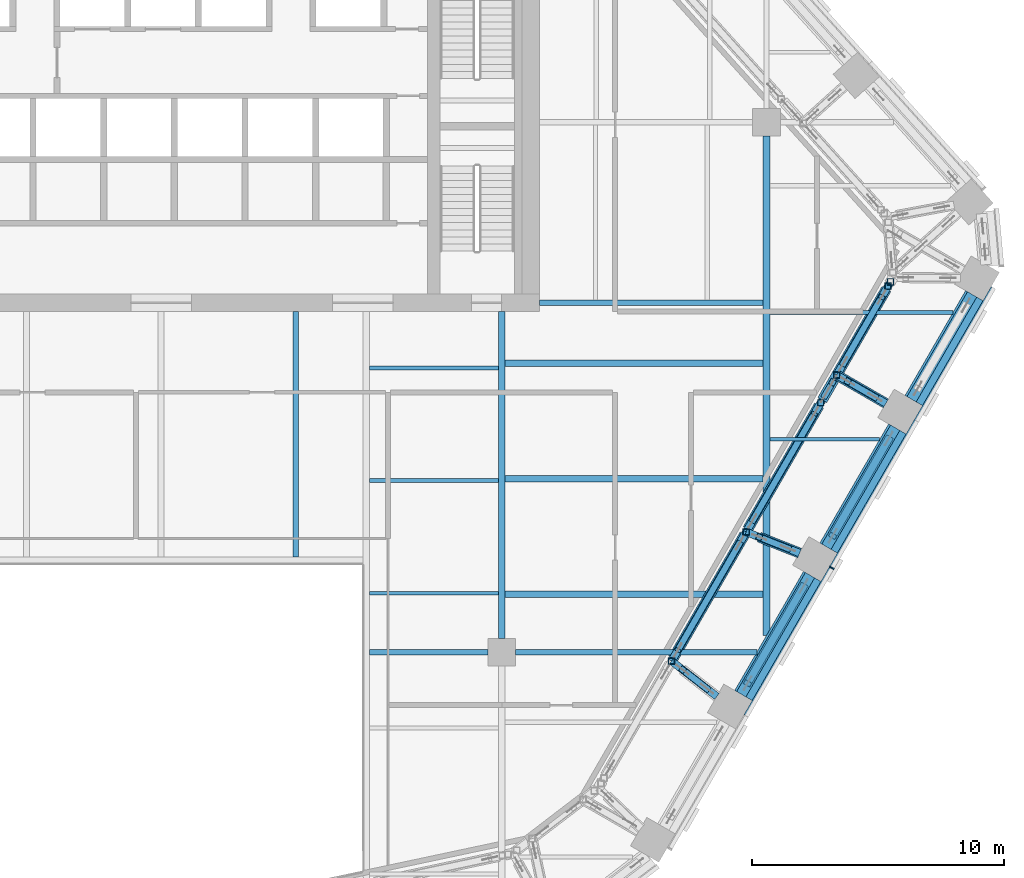
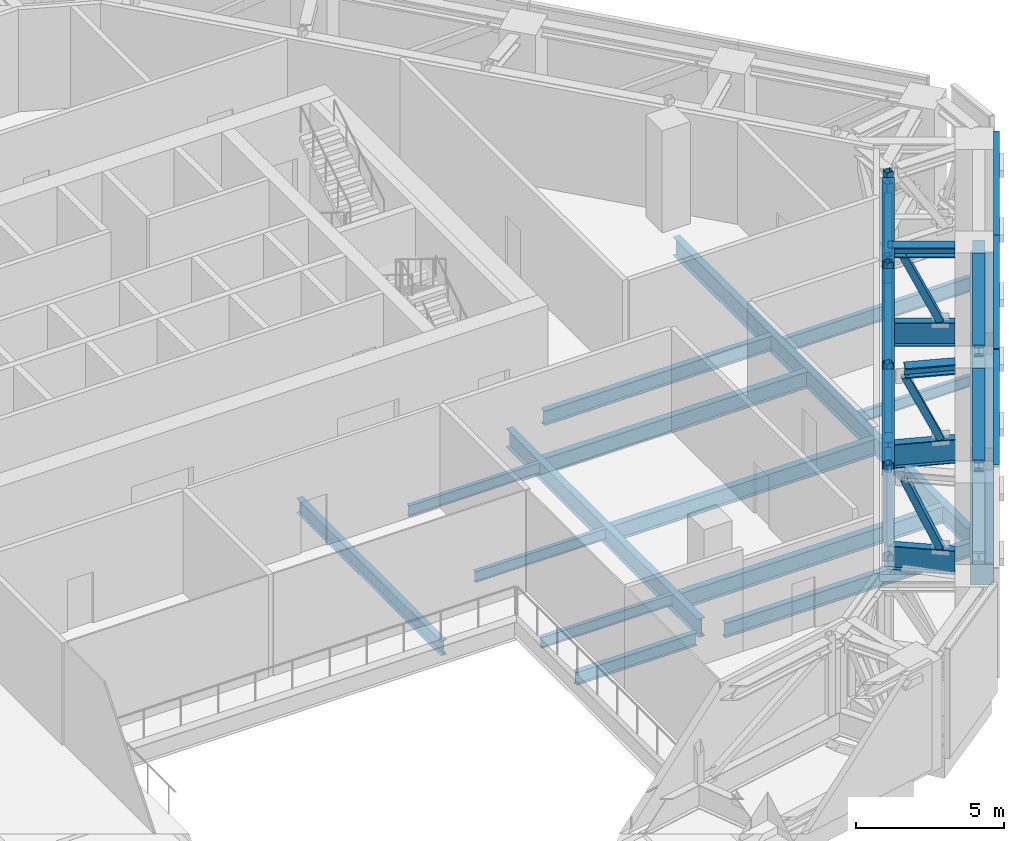
# One storey, part 7 of 26: 35 members, 17 beams, 1 element without a shape of its own.
"""IFC4 building model written with IfcOpenShell, lengths in metres."""

import ifcopenshell
import ifcopenshell.guid

model = None  # the IFC model being written
_history = None  # IfcOwnerHistory: only IFC2X3 demands one
_inside = {}  # id of a spatial element -> (the spatial element, [elements in it])
_under = {}  # id of a project, library or spatial element -> (it, [spatial elements below it])
_declared = {}  # id of a project -> (the project, [libraries it declares])
_typed = {}  # id of a type object -> (the type object, [elements of that type])
_made_of = {}  # id of a material, layer set ... -> (it, [elements and type objects made of it])


def new_model(schema):
    """Start an empty IFC model of exactly this schema.

    Asked for "IFC4X3", IfcOpenShell would pick the latest addendum, in which some entities
    have other attributes; the version numbers below select the first issue.
    IFC2X3 requires an IfcOwnerHistory on every rooted entity: one is made here for all.
    """
    global model, _history
    if schema == "IFC4X3":
        model = ifcopenshell.file(schema_version=(4, 3, 0, 0))
    else:
        model = ifcopenshell.file(schema=schema)
    _inside.clear()
    _under.clear()
    _declared.clear()
    _typed.clear()
    _made_of.clear()
    _history = None
    if model.schema == "IFC2X3":
        org = make("IfcOrganization", Name="unknown")
        user = make(
            "IfcPersonAndOrganization",
            ThePerson=make("IfcPerson", FamilyName="unknown"),
            TheOrganization=org,
        )
        app = make(
            "IfcApplication",
            ApplicationDeveloper=org,
            Version="unknown",
            ApplicationFullName="unknown",
            ApplicationIdentifier="unknown",
        )
        _history = make(
            "IfcOwnerHistory",
            OwningUser=user,
            OwningApplication=app,
            ChangeAction="ADDED",
            CreationDate=0,
        )
    return model


def make(cls, **values):
    """One entity of the class cls with the attributes given. An attribute that is None is left unset."""
    return model.create_entity(
        cls, **{name: value for name, value in values.items() if value is not None}
    )


def rooted(cls, **values):
    """An entity with a GlobalId (a new one), such as an element, a storey or a relation."""
    return make(cls, GlobalId=ifcopenshell.guid.new(), OwnerHistory=_history, **values)


def si_unit(unit_type, name, prefix=None):
    """IfcSIUnit, for example si_unit("LENGTHUNIT", "METRE", prefix="MILLI")."""
    return make("IfcSIUnit", UnitType=unit_type, Prefix=prefix, Name=name)


def assignment(units):
    """IfcUnitAssignment: the units of a project."""
    return None if units is None else make("IfcUnitAssignment", Units=units)


def point(xyz):
    """IfcCartesianPoint."""
    return None if xyz is None else make("IfcCartesianPoint", Coordinates=xyz)


def direction(xyz):
    """IfcDirection."""
    return None if xyz is None else make("IfcDirection", DirectionRatios=xyz)


def frame(location, z_axis=None, x_axis=None):
    """IfcAxis2Placement3D, a coordinate frame: its origin and axes. An axis left out is left unset."""
    return make(
        "IfcAxis2Placement3D",
        Location=point(location),
        Axis=direction(z_axis),
        RefDirection=direction(x_axis),
    )


def frame_2d(location, x_axis=None):
    """IfcAxis2Placement2D, a coordinate frame in the plane: its origin and x axis."""
    return make(
        "IfcAxis2Placement2D", Location=point(location), RefDirection=direction(x_axis)
    )


def origin():
    """The frame at (0, 0, 0) with its axes left unset."""
    return frame((0.0, 0.0, 0.0))


def origin_2d():
    """The frame at (0, 0) in the plane with its x axis left unset."""
    return frame_2d((0.0, 0.0))


def place(relative_to, where):
    """IfcLocalPlacement: puts the frame where relative to a parent placement (None: the world)."""
    return make(
        "IfcLocalPlacement", PlacementRelTo=relative_to, RelativePlacement=where
    )


def context(
    kind, dimensions, precision=None, world=None, true_north=None, identifier=None
):
    """IfcGeometricRepresentationContext, for example the 3D "Model" context."""
    return make(
        "IfcGeometricRepresentationContext",
        ContextIdentifier=identifier,
        ContextType=kind,
        CoordinateSpaceDimension=dimensions,
        Precision=precision,
        WorldCoordinateSystem=world,
        TrueNorth=true_north,
    )


def subcontext(parent, identifier, kind, view, scale=None):
    """IfcGeometricRepresentationSubContext, for example "Body" below "Model"."""
    return make(
        "IfcGeometricRepresentationSubContext",
        ContextIdentifier=identifier,
        ContextType=kind,
        ParentContext=parent,
        TargetScale=scale,
        TargetView=view,
    )


def project(units=None, contexts=None):
    """IfcProject with its units and contexts."""
    return rooted(
        "IfcProject",
        Name="project",
        RepresentationContexts=contexts,
        UnitsInContext=assignment(units),
    )


def spatial(cls, under=None, at=None, **own):
    """A site, building, storey or space (cls), placed at a placement, below another one or the project."""
    s = rooted(cls, ObjectPlacement=at, **own)
    if under is not None:
        _under.setdefault(under.id(), (under, []))[1].append(s)
    return s


def profile(cls, at=None, kind="AREA", **sizes):
    """A parametric profile (cls). Its sizes go by their IFC names, for example OverallWidth=200.0."""
    return make(cls, ProfileType=kind, Position=at, **sizes)


def rectangle(**sizes):
    """IfcRectangleProfileDef."""
    return profile("IfcRectangleProfileDef", **sizes)


def hollow_rectangle(**sizes):
    """IfcRectangleHollowProfileDef."""
    return profile("IfcRectangleHollowProfileDef", **sizes)


def i_section(**sizes):
    """IfcIShapeProfileDef."""
    return profile("IfcIShapeProfileDef", **sizes)


def extrude(swept, where, along, depth):
    """IfcExtrudedAreaSolid: the profile swept, set in the frame where, extruded along a direction by depth."""
    return make(
        "IfcExtrudedAreaSolid",
        SweptArea=swept,
        Position=where,
        ExtrudedDirection=direction(along),
        Depth=depth,
    )


def shape(context_of_items, identifier, shape_type, items):
    """IfcShapeRepresentation: the items that make up one representation, for example the "Body"."""
    return make(
        "IfcShapeRepresentation",
        ContextOfItems=context_of_items,
        RepresentationIdentifier=identifier,
        RepresentationType=shape_type,
        Items=items,
    )


def material(Name=None, Category=None):
    """IfcMaterial."""
    return make("IfcMaterial", Name=Name, Category=Category)


def layer(
    of_material, thickness, ventilated=None, Name=None, Category=None, Priority=None
):
    """IfcMaterialLayer: one layer of a wall or slab, of a material (None: an air gap)."""
    return make(
        "IfcMaterialLayer",
        Material=of_material,
        LayerThickness=thickness,
        IsVentilated=ventilated,
        Name=Name,
        Category=Category,
        Priority=Priority,
    )


def layer_set(layers, Name=None):
    """IfcMaterialLayerSet."""
    return make("IfcMaterialLayerSet", MaterialLayers=layers, LayerSetName=Name)


def material_profile(
    of_material, cross_section, Name=None, Category=None, Priority=None
):
    """IfcMaterialProfile: a cross section and its material."""
    return make(
        "IfcMaterialProfile",
        Name=Name,
        Material=of_material,
        Profile=cross_section,
        Priority=Priority,
        Category=Category,
    )


def profile_set(profiles, Name=None, composite=None):
    """IfcMaterialProfileSet."""
    return make(
        "IfcMaterialProfileSet",
        Name=Name,
        MaterialProfiles=profiles,
        CompositeProfile=composite,
    )


def made_of(thing, what):
    """Note that an element or type object is made of a material, layer set ...; save() writes the relation."""
    if what is not None:
        _made_of.setdefault(what.id(), (what, []))[1].append(thing)
    return thing


def type_object(cls, material=None, **own):
    """A type object (cls), such as IfcWallType, which elements share."""
    return made_of(rooted(cls, **own), material)


def element(
    cls,
    number,
    at=None,
    inside=None,
    cuts=None,
    type_object=None,
    material=None,
    context=None,
    identifier="Body",
    shape_type=None,
    held_by="IfcProductDefinitionShape",
    body=None,
    shapes=None,
    **own,
):
    """One element of the class cls, such as IfcWall. Its Tag is "e" and its number.

    at: its placement. inside: the storey or other place that contains it. cuts: it is an
    opening in that element (IfcRelVoidsElement). A single representation is given by context,
    identifier, shape_type and body (its items); several are given by shapes. held_by: the class
    of the entity that holds the representations. save() writes the other relations.
    """
    e = rooted(cls, Tag="e%d" % number, ObjectPlacement=at, **own)
    if body is not None:
        shapes = [shape(context, identifier, shape_type, body)]
    if shapes is not None:
        e.Representation = make(held_by, Representations=shapes)
    if inside is not None:
        _inside.setdefault(inside.id(), (inside, []))[1].append(e)
    if cuts is not None:
        rooted(
            "IfcRelVoidsElement", RelatingBuildingElement=cuts, RelatedOpeningElement=e
        )
    if type_object is not None:
        _typed.setdefault(type_object.id(), (type_object, []))[1].append(e)
    return made_of(e, material)


def aggregate(whole, parts):
    """IfcRelAggregates: a whole, such as a stair, and the parts it consists of."""
    return rooted("IfcRelAggregates", RelatingObject=whole, RelatedObjects=parts)


def save(model, path):
    """Write the relations noted so far, then the file.

    IfcRelAggregates (storeys below a building ...), IfcRelContainedInSpatialStructure (elements
    in a storey), IfcRelDefinesByType, IfcRelAssociatesMaterial and IfcRelDeclares: one each for
    every whole, place, type object, material and project.
    """
    for whole, parts in _under.values():
        aggregate(whole, parts)
    for where, things in _inside.values():
        rooted(
            "IfcRelContainedInSpatialStructure",
            RelatedElements=things,
            RelatingStructure=where,
        )
    for kind, things in _typed.values():
        rooted("IfcRelDefinesByType", RelatedObjects=things, RelatingType=kind)
    for what, things in _made_of.values():
        rooted("IfcRelAssociatesMaterial", RelatedObjects=things, RelatingMaterial=what)
    for by, libraries in _declared.values():
        rooted("IfcRelDeclares", RelatingContext=by, RelatedDefinitions=libraries)
    model.write(path)


model = new_model("IFC4")

# Units and contexts
model_context = context("Model", 3, precision=1e-05, world=origin(), true_north=direction((0.0, 1.0)))
body_context = subcontext(model_context, "Body", "Model", "MODEL_VIEW")
ifc_project = project(units=[si_unit("LENGTHUNIT", "METRE"), si_unit("AREAUNIT", "SQUARE_METRE"), si_unit("VOLUMEUNIT", "CUBIC_METRE"), si_unit("PLANEANGLEUNIT", "RADIAN"), si_unit("MASSUNIT", "GRAM", prefix="KILO")], contexts=[model_context])

# Site, building, storey
site_placement = place(None, origin())
site = spatial("IfcSite", under=ifc_project, at=site_placement, CompositionType="ELEMENT")
building_placement = place(site_placement, origin())
building = spatial("IfcBuilding", under=site, at=building_placement, Name="Isthmus Gate Tower", CompositionType="ELEMENT")
storey_placement = place(building_placement, frame((0.0, 0.0, 207.300048828125)))
storey = spatial("IfcBuildingStorey", under=building, at=storey_placement, Name="L52", CompositionType="ELEMENT", Elevation=207.300048828125)

# Members
ifc_material_1 = material(Name="Structural steel ASTM A913 Gr 65", Category="steel")
ifc_material_profile_1 = material_profile(ifc_material_1, i_section(OverallWidth=0.42236328125, OverallDepth=0.46337890625, WebThickness=0.04443359375, FlangeThickness=0.072998046875, at=origin_2d()), Name="W14X398")
ifc_profile_set_1 = profile_set([ifc_material_profile_1], Name="Structural steel ASTM A913 Gr 65")
member_type_1 = type_object("IfcMemberType", Name="BELT TRUSS CHORD W14X398", PredefinedType="CHORD", material=ifc_profile_set_1)
member_1_placement = place(storey_placement, frame((32.146728515625, 0.6796875, 0.231689453125), z_axis=(-0.500017431331, -0.866015339567, 0.0), x_axis=(0.866015339567, -0.500017431331, 0.0)))
element("IfcMember", 1, at=member_1_placement, inside=storey, type_object=member_type_1, Name="str-belt06-L52-01", PredefinedType="CHORD", context=body_context, shape_type="SweptSolid", body=[
    extrude(i_section(OverallWidth=0.42236328125, OverallDepth=0.46337890625, WebThickness=0.04443359375, FlangeThickness=0.072998046875, at=origin_2d()), origin(), (0.0, 0.0, 1.0), 4.800048828125),
])
for number, where, z_axis, x_axis, name in (
    (2, (29.0966796875, -4.603271484375, 0.231689453125), (-0.500002931134, -0.866023711487, 0.0), (0.866023711487, -0.500002931134, 0.0), "str-belt07-L52-01"),
    (3, (29.0966796875, -4.603271484375, 3.96826171875), (-0.500002931134, -0.866023711487, 0.0), (0.866023711487, -0.500002931134, 0.0), "str-belt07-L52-02"),
):
    element("IfcMember", number, at=place(storey_placement, frame(where, z_axis=z_axis, x_axis=x_axis)), inside=storey, type_object=member_type_1, Name=name, PredefinedType="CHORD", context=body_context, shape_type="SweptSolid", body=[
        extrude(i_section(OverallWidth=0.42236328125, OverallDepth=0.46337890625, WebThickness=0.04443359375, FlangeThickness=0.072998046875, at=origin_2d()), origin(), (0.0, 0.0, 1.0), 5.4501953125),
    ])
for number, where, z_axis, x_axis, name in (
    (4, (25.721435546875, -10.448974609375, 0.231689453125), (-0.49996933381, -0.866043108194, 0.0), (0.866043108194, -0.49996933381, 0.0), "str-belt08-L52-01"),
    (5, (25.721435546875, -10.448974609375, 3.96826171875), (-0.49996933381, -0.866043108194, 0.0), (0.866043108194, -0.49996933381, 0.0), "str-belt08-L52-02"),
):
    element("IfcMember", number, at=place(storey_placement, frame(where, z_axis=z_axis, x_axis=x_axis)), inside=storey, type_object=member_type_1, Name=name, PredefinedType="CHORD", context=body_context, shape_type="SweptSolid", body=[
        extrude(i_section(OverallWidth=0.42236328125, OverallDepth=0.46337890625, WebThickness=0.04443359375, FlangeThickness=0.072998046875, at=origin_2d()), origin(), (0.0, 0.0, 1.0), 5.449951171875),
    ])

# Curtain wall, members
ifc_material_2 = material(Name="Aluminium, pale champagne anodised", Category="aluminium")
ifc_layer = layer(ifc_material_2, 0.199951171875)
ifc_layer_set = layer_set([ifc_layer], Name="CW-2 LOUVRE CURTAIN WALL 200 DEEP")
curtain_wall_type = type_object("IfcCurtainWallType", Name="CW-2 LOUVRE CURTAIN WALL 200 DEEP", PredefinedType="NOTDEFINED", material=ifc_layer_set)
curtain_wall_placement = place(storey_placement, origin())
curtain_wall = element("IfcCurtainWall", 6, at=curtain_wall_placement, inside=storey, type_object=curtain_wall_type, Name="CW-2 SE L52", PredefinedType="NOTDEFINED")
ifc_material_3 = material(Name="Aluminium, pale champagne anodised", Category="aluminium")
ifc_material_profile_2 = material_profile(ifc_material_3, rectangle(XDim=0.06005859375, YDim=0.199951171875, at=origin_2d()), Name="60x200")
ifc_profile_set_2 = profile_set([ifc_material_profile_2], Name="Aluminium, pale champagne anodised")
member_type_2 = type_object("IfcMemberType", Name="CW-2 MULLION 60 X 200", PredefinedType="MULLION", material=ifc_profile_set_2)
member_2_placement = place(storey_placement, frame((26.5810546875, -10.16015625, 0.0), z_axis=(0.0, 0.0, 1.0), x_axis=(0.5, 0.866025403784, 0.0)))
member_2 = element("IfcMember", 7, at=member_2_placement, type_object=member_type_2, Name="CW-2 mullion", PredefinedType="MULLION", context=body_context, shape_type="SweptSolid", body=[
    extrude(rectangle(XDim=0.06005859375, YDim=0.199951171875, at=origin_2d()), origin(), (0.0, 0.0, 1.0), 4.5),
])
ifc_material_4 = material(Name="Aluminium, pale champagne anodised", Category="aluminium")
ifc_material_profile_3 = material_profile(ifc_material_4, rectangle(XDim=0.199951171875, YDim=0.110107421875, at=origin_2d()), Name="200x110")
ifc_profile_set_3 = profile_set([ifc_material_profile_3], Name="Aluminium, pale champagne anodised")
member_type_3 = type_object("IfcMemberType", Name="CW-2 TRANSOM 200 X 110", PredefinedType="USERDEFINED", material=ifc_profile_set_3)
member_3_placement = place(storey_placement, frame((23.191162109375, -16.03173828125, 4.445068359375), z_axis=(0.499997969693, 0.866026575979, 0.0), x_axis=(-0.866026575979, 0.499997969693, 0.0)))
member_3 = element("IfcMember", 8, at=member_3_placement, type_object=member_type_3, Name="CW-2 transom", ObjectType="TRANSOM", PredefinedType="USERDEFINED", context=body_context, shape_type="SweptSolid", body=[
    extrude(rectangle(XDim=0.199951171875, YDim=0.110107421875, at=origin_2d()), origin(), (0.0, 0.0, 1.0), 6.75),
])
member_4_placement = place(storey_placement, frame((26.59619140625, -10.134033203125, 4.445068359375), z_axis=(0.499997283838, 0.866026971956, 0.0), x_axis=(-0.866026971956, 0.499997283838, 0.0)))
member_4 = element("IfcMember", 9, at=member_4_placement, type_object=member_type_3, Name="CW-2 transom", ObjectType="TRANSOM", PredefinedType="USERDEFINED", context=body_context, shape_type="SweptSolid", body=[
    extrude(rectangle(XDim=0.199951171875, YDim=0.110107421875, at=origin_2d()), origin(), (0.0, 0.0, 1.0), 6.68994140625),
])
member_5_placement = place(storey_placement, frame((29.941162109375, -4.34033203125, 4.445068359375), z_axis=(0.499991521122, 0.866030299012, 0.0), x_axis=(-0.866030299012, 0.499991521122, 0.0)))
member_5 = element("IfcMember", 10, at=member_5_placement, type_object=member_type_3, Name="CW-2 transom", ObjectType="TRANSOM", PredefinedType="USERDEFINED", context=body_context, shape_type="SweptSolid", body=[
    extrude(rectangle(XDim=0.199951171875, YDim=0.110107421875, at=origin_2d()), origin(), (0.0, 0.0, 1.0), 6.10009765625),
])
aggregate(curtain_wall, [member_3, member_2, member_4, member_5])

# Beams
ifc_material_5 = material(Name="Concrete f'c 60 MPa", Category="concrete")
ifc_material_profile_4 = material_profile(ifc_material_5, rectangle(XDim=0.800048828125, YDim=0.89990234375, at=origin_2d()), Name="RC 800X900")
ifc_profile_set_4 = profile_set([ifc_material_profile_4], Name="Concrete f'c 60 MPa")
beam_type_1 = type_object("IfcBeamType", Name="RC SPANDREL 800 X 900", PredefinedType="SPANDREL", material=ifc_profile_set_4)
beam_1_placement = place(storey_placement, frame((32.2333984375, 0.629638671875, -0.449951171875), z_axis=(-0.500017431331, -0.866015339567, 0.0), x_axis=(0.866015339567, -0.500017431331, 0.0)))
element("IfcBeam", 11, at=beam_1_placement, inside=storey, type_object=beam_type_1, Name="str-spandrel-L52-06", PredefinedType="SPANDREL", context=body_context, shape_type="SweptSolid", body=[
    extrude(rectangle(XDim=0.800048828125, YDim=0.89990234375, at=origin_2d()), origin(), (0.0, 0.0, 1.0), 4.800048828125),
])
beam_2_placement = place(storey_placement, frame((29.18310546875, -4.653076171875, -0.449951171875), z_axis=(-0.49996933381, -0.866043108194, 0.0), x_axis=(0.866043108194, -0.49996933381, 0.0)))
element("IfcBeam", 12, at=beam_2_placement, inside=storey, type_object=beam_type_1, Name="str-spandrel-L52-07", PredefinedType="SPANDREL", context=body_context, shape_type="SweptSolid", body=[
    extrude(rectangle(XDim=0.800048828125, YDim=0.89990234375, at=origin_2d()), origin(), (0.0, 0.0, 1.0), 5.449951171875),
])
beam_3_placement = place(storey_placement, frame((25.80810546875, -10.4990234375, -0.449951171875), z_axis=(-0.500002931134, -0.866023711487, 0.0), x_axis=(0.866023711487, -0.500002931134, 0.0)))
element("IfcBeam", 13, at=beam_3_placement, inside=storey, type_object=beam_type_1, Name="str-spandrel-L52-08", PredefinedType="SPANDREL", context=body_context, shape_type="SweptSolid", body=[
    extrude(rectangle(XDim=0.800048828125, YDim=0.89990234375, at=origin_2d()), origin(), (0.0, 0.0, 1.0), 5.4501953125),
])
ifc_material_6 = material(Name="Structural steel ASTM A992 Gr 50", Category="steel")
ifc_material_profile_5 = material_profile(ifc_material_6, i_section(OverallWidth=0.15234375, OverallDepth=0.45068359375, WebThickness=0.0078125, FlangeThickness=0.010986328125, at=origin_2d()), Name="W18X35")
ifc_profile_set_5 = profile_set([ifc_material_profile_5], Name="Structural steel ASTM A992 Gr 50")
beam_type_2 = type_object("IfcBeamType", Name="STEEL FLOOR BEAM W18X35", PredefinedType="JOIST", material=ifc_profile_set_5)
for number, where, z_axis, x_axis, name in (
    (14, (8.263427734375, -11.16259765625, -0.525390625), (1.0, 0.0, 0.0), (0.0, 1.0, 0.0), "str-beam-L52-10-00"),
    (15, (8.263427734375, -6.697509765625, -0.525390625), (1.0, 0.0, 0.0), (0.0, 1.0, 0.0), "str-beam-L52-10-01"),
    (16, (8.263427734375, -2.232421875, -0.525390625), (1.0, 0.0, 0.0), (0.0, 1.0, 0.0), "str-beam-L52-10-02"),
):
    element("IfcBeam", number, at=place(storey_placement, frame(where, z_axis=z_axis, x_axis=x_axis)), inside=storey, type_object=beam_type_2, Name=name, PredefinedType="JOIST", context=body_context, shape_type="SweptSolid", body=[
        extrude(i_section(OverallWidth=0.15234375, OverallDepth=0.45068359375, WebThickness=0.0078125, FlangeThickness=0.010986328125, at=origin_2d()), origin(), (0.0, 0.0, 1.0), 5.104736328125),
    ])
beam_4_placement = place(storey_placement, frame((24.13330078125, -5.0625, -0.525390625), z_axis=(1.0, 0.0, 0.0), x_axis=(0.0, 1.0, 0.0)))
element("IfcBeam", 17, at=beam_4_placement, inside=storey, type_object=beam_type_2, Name="str-beam-L52-16-00", PredefinedType="JOIST", context=body_context, shape_type="SweptSolid", body=[
    extrude(i_section(OverallWidth=0.15234375, OverallDepth=0.45068359375, WebThickness=0.0078125, FlangeThickness=0.010986328125, at=origin_2d()), origin(), (0.0, 0.0, 1.0), 4.351806640625),
])
ifc_material_7 = material(Name="Structural steel ASTM A992 Gr 50", Category="steel")
ifc_material_profile_6 = material_profile(ifc_material_7, i_section(OverallWidth=0.177734375, OverallDepth=0.60009765625, WebThickness=0.009521484375, FlangeThickness=0.0126953125, at=origin_2d()), Name="W24X55")
ifc_profile_set_6 = profile_set([ifc_material_profile_6], Name="Structural steel ASTM A992 Gr 50")
beam_type_3 = type_object("IfcBeamType", Name="STEEL FLOOR BEAM W24X55", PredefinedType="JOIST", material=ifc_profile_set_6)
beam_5_placement = place(storey_placement, frame((24.13330078125, -0.037353515625, -0.60009765625), z_axis=(1.0, 0.0, 0.0), x_axis=(0.0, 1.0, 0.0)))
element("IfcBeam", 18, at=beam_5_placement, inside=storey, type_object=beam_type_3, Name="str-beam-L52-16-01", PredefinedType="JOIST", context=body_context, shape_type="SweptSolid", body=[
    extrude(i_section(OverallWidth=0.177734375, OverallDepth=0.60009765625, WebThickness=0.009521484375, FlangeThickness=0.0126953125, at=origin_2d()), origin(), (0.0, 0.0, 1.0), 7.2529296875),
])
ifc_material_8 = material(Name="Structural steel ASTM A992 Gr 50", Category="steel")
ifc_material_profile_7 = material_profile(ifc_material_8, i_section(OverallWidth=0.228515625, OverallDepth=0.603271484375, WebThickness=0.010986328125, FlangeThickness=0.014404296875, at=origin_2d()), Name="W24X68")
ifc_profile_set_7 = profile_set([ifc_material_profile_7], Name="Structural steel ASTM A992 Gr 50")
beam_type_4 = type_object("IfcBeamType", Name="STEEL FLOOR BEAM W24X68", PredefinedType="JOIST", material=ifc_profile_set_7)
beam_6_placement = place(storey_placement, frame((5.333251953125, -9.7333984375, -0.6015625), z_axis=(0.0, 1.0, 0.0), x_axis=(-1.0, 0.0, 0.0)))
element("IfcBeam", 19, at=beam_6_placement, inside=storey, type_object=beam_type_4, Name="str-beam-L52-06-02", PredefinedType="JOIST", context=body_context, shape_type="SweptSolid", body=[
    extrude(i_section(OverallWidth=0.228515625, OverallDepth=0.603271484375, WebThickness=0.010986328125, FlangeThickness=0.014404296875, at=origin_2d()), origin(), (0.0, 0.0, 1.0), 9.7333984375),
])
ifc_material_9 = material(Name="Structural steel ASTM A992 Gr 50", Category="steel")
ifc_material_profile_8 = material_profile(ifc_material_9, i_section(OverallWidth=0.25390625, OverallDepth=0.679443359375, WebThickness=0.010986328125, FlangeThickness=0.015869140625, at=origin_2d()), Name="W27X84")
ifc_profile_set_8 = profile_set([ifc_material_profile_8], Name="Structural steel ASTM A992 Gr 50")
beam_type_5 = type_object("IfcBeamType", Name="STEEL FLOOR BEAM W27X84", PredefinedType="JOIST", material=ifc_profile_set_8)
for number, where, z_axis, x_axis, name in (
    (20, (13.6318359375, -11.210693359375, -0.6396484375), (1.0, 0.0, 0.0), (0.0, 1.0, 0.0), "str-beam-L52-12-00"),
    (21, (13.6318359375, -6.632080078125, -0.6396484375), (1.0, 0.0, 0.0), (0.0, 1.0, 0.0), "str-beam-L52-12-01"),
    (22, (13.6318359375, -2.053466796875, -0.6396484375), (1.0, 0.0, 0.0), (0.0, 1.0, 0.0), "str-beam-L52-12-02"),
):
    element("IfcBeam", number, at=place(storey_placement, frame(where, z_axis=z_axis, x_axis=x_axis)), inside=storey, type_object=beam_type_5, Name=name, PredefinedType="JOIST", context=body_context, shape_type="SweptSolid", body=[
        extrude(i_section(OverallWidth=0.25390625, OverallDepth=0.679443359375, WebThickness=0.010986328125, FlangeThickness=0.015869140625, at=origin_2d()), origin(), (0.0, 0.0, 1.0), 10.23486328125),
    ])
ifc_material_10 = material(Name="Structural steel ASTM A992 Gr 50", Category="steel")
ifc_material_profile_9 = material_profile(ifc_material_10, i_section(OverallWidth=0.20947265625, OverallDepth=0.533447265625, WebThickness=0.009521484375, FlangeThickness=0.015869140625, at=origin_2d()), Name="W21X62")
ifc_profile_set_9 = profile_set([ifc_material_profile_9], Name="Structural steel ASTM A992 Gr 50")
beam_type_6 = type_object("IfcBeamType", Name="STEEL GIRDER W21X62", PredefinedType="BEAM", material=ifc_profile_set_9)
beam_7_placement = place(storey_placement, frame((8.263427734375, -13.5, -0.566650390625), z_axis=(1.0, 0.0, 0.0), x_axis=(0.0, 1.0, 0.0)))
element("IfcBeam", 23, at=beam_7_placement, inside=storey, type_object=beam_type_6, Name="str-girder-L52-03", PredefinedType="BEAM", context=body_context, shape_type="SweptSolid", body=[
    extrude(i_section(OverallWidth=0.20947265625, OverallDepth=0.533447265625, WebThickness=0.009521484375, FlangeThickness=0.015869140625, at=origin_2d()), origin(), (0.0, 0.0, 1.0), 4.6865234375),
])
ifc_material_11 = material(Name="Structural steel ASTM A992 Gr 50", Category="steel")
ifc_material_profile_10 = material_profile(ifc_material_11, i_section(OverallWidth=0.228515625, OverallDepth=0.6064453125, WebThickness=0.010986328125, FlangeThickness=0.017578125, at=origin_2d()), Name="W24X76")
ifc_profile_set_10 = profile_set([ifc_material_profile_10], Name="Structural steel ASTM A992 Gr 50")
beam_type_7 = type_object("IfcBeamType", Name="STEEL GIRDER W24X76", PredefinedType="BEAM", material=ifc_profile_set_10)
beam_8_placement = place(storey_placement, frame((14.050048828125, -13.5, -0.603271484375), z_axis=(1.0, 0.0, 0.0), x_axis=(0.0, 1.0, 0.0)))
element("IfcBeam", 24, at=beam_8_placement, inside=storey, type_object=beam_type_7, Name="str-girder-L52-04", PredefinedType="BEAM", context=body_context, shape_type="SweptSolid", body=[
    extrude(i_section(OverallWidth=0.228515625, OverallDepth=0.6064453125, WebThickness=0.010986328125, FlangeThickness=0.017578125, at=origin_2d()), origin(), (0.0, 0.0, 1.0), 9.5634765625),
])
beam_9_placement = place(storey_placement, frame((15.0, 0.35009765625, -0.603271484375), z_axis=(1.0, 0.0, 0.0), x_axis=(0.0, 1.0, 0.0)))
element("IfcBeam", 25, at=beam_9_placement, inside=storey, type_object=beam_type_7, Name="str-girder-L52-14", PredefinedType="BEAM", context=body_context, shape_type="SweptSolid", body=[
    extrude(i_section(OverallWidth=0.228515625, OverallDepth=0.6064453125, WebThickness=0.010986328125, FlangeThickness=0.017578125, at=origin_2d()), origin(), (0.0, 0.0, 1.0), 8.86669921875),
])
ifc_material_12 = material(Name="Structural steel ASTM A992 Gr 50", Category="steel")
ifc_material_profile_11 = material_profile(ifc_material_12, i_section(OverallWidth=0.2666015625, OverallDepth=0.7587890625, WebThickness=0.014404296875, FlangeThickness=0.01904296875, at=origin_2d()), Name="W30X108")
ifc_profile_set_11 = profile_set([ifc_material_profile_11], Name="Structural steel ASTM A992 Gr 50")
beam_type_8 = type_object("IfcBeamType", Name="STEEL GIRDER W30X108", PredefinedType="BEAM", material=ifc_profile_set_11)
beam_10_placement = place(storey_placement, frame((24.0, -12.830810546875, -0.679443359375), z_axis=(0.0, 1.0, 0.0), x_axis=(-1.0, 0.0, 0.0)))
element("IfcBeam", 26, at=beam_10_placement, inside=storey, type_object=beam_type_8, Name="str-girder-L52-11", PredefinedType="BEAM", context=body_context, shape_type="SweptSolid", body=[
    extrude(i_section(OverallWidth=0.2666015625, OverallDepth=0.7587890625, WebThickness=0.014404296875, FlangeThickness=0.01904296875, at=origin_2d()), origin(), (0.0, 0.0, 1.0), 19.78076171875),
])
ifc_material_13 = material(Name="Structural steel ASTM A992 Gr 50", Category="steel")
ifc_material_profile_12 = material_profile(ifc_material_13, i_section(OverallWidth=0.263427734375, OverallDepth=0.749267578125, WebThickness=0.0126953125, FlangeThickness=0.015869140625, at=origin_2d()), Name="W30X90")
ifc_profile_set_12 = profile_set([ifc_material_profile_12], Name="Structural steel ASTM A992 Gr 50")
beam_type_9 = type_object("IfcBeamType", Name="STEEL GIRDER W30X90", PredefinedType="BEAM", material=ifc_profile_set_12)
beam_11_placement = place(storey_placement, frame((13.5, -12.949951171875, -0.6748046875), z_axis=(0.0, 1.0, 0.0), x_axis=(-1.0, 0.0, 0.0)))
element("IfcBeam", 27, at=beam_11_placement, inside=storey, type_object=beam_type_9, Name="str-girder-L52-10", PredefinedType="BEAM", context=body_context, shape_type="SweptSolid", body=[
    extrude(i_section(OverallWidth=0.263427734375, OverallDepth=0.749267578125, WebThickness=0.0126953125, FlangeThickness=0.015869140625, at=origin_2d()), origin(), (0.0, 0.0, 1.0), 12.949951171875),
])

# Members
ifc_material_14 = material(Name="Structural steel ASTM A913 Gr 65", Category="steel")
ifc_material_profile_13 = material_profile(ifc_material_14, i_section(OverallWidth=0.406494140625, OverallDepth=0.416015625, WebThickness=0.0302734375, FlangeThickness=0.047607421875, at=origin_2d()), Name="W14X257")
ifc_profile_set_13 = profile_set([ifc_material_profile_13], Name="Structural steel ASTM A913 Gr 65")
member_type_4 = type_object("IfcMemberType", Name="TRANSFER TRUSS CHORD W14X257", PredefinedType="CHORD", material=ifc_profile_set_13)
member_6_placement = place(storey_placement, frame((28.74951171875, 0.8955078125, 3.89208984375), z_axis=(-0.500003844327, -0.86602318425, 0.0), x_axis=(0.86602318425, -0.500003844327, 0.0)))
element("IfcMember", 28, at=member_6_placement, inside=storey, type_object=member_type_4, Name="str-ring03-L52-14", PredefinedType="CHORD", context=body_context, shape_type="SweptSolid", body=[
    extrude(i_section(OverallWidth=0.406494140625, OverallDepth=0.416015625, WebThickness=0.0302734375, FlangeThickness=0.047607421875, at=origin_2d()), origin(), (0.0, 0.0, 1.0), 5.08203125),
])
member_7_placement = place(storey_placement, frame((26.081298828125, -3.7255859375, 3.89208984375), z_axis=(-0.499977735446, -0.866038257849, 0.0), x_axis=(0.866038257849, -0.499977735446, 0.0)))
element("IfcMember", 29, at=member_7_placement, inside=storey, type_object=member_type_4, Name="str-ring03-L52-15", PredefinedType="CHORD", context=body_context, shape_type="SweptSolid", body=[
    extrude(i_section(OverallWidth=0.406494140625, OverallDepth=0.416015625, WebThickness=0.0302734375, FlangeThickness=0.047607421875, at=origin_2d()), origin(), (0.0, 0.0, 1.0), 5.656982421875),
])
member_8_placement = place(storey_placement, frame((23.1259765625, -8.8447265625, 3.89208984375), z_axis=(-0.500010103361, -0.866019570528, 0.0), x_axis=(0.866019570528, -0.500010103361, 0.0)))
element("IfcMember", 30, at=member_8_placement, inside=storey, type_object=member_type_4, Name="str-ring03-L52-16", PredefinedType="CHORD", context=body_context, shape_type="SweptSolid", body=[
    extrude(i_section(OverallWidth=0.406494140625, OverallDepth=0.416015625, WebThickness=0.0302734375, FlangeThickness=0.047607421875, at=origin_2d()), origin(), (0.0, 0.0, 1.0), 5.6572265625),
])
member_9_placement = place(storey_placement, frame((25.31201171875, -9.572509765625, 3.89208984375), z_axis=(-0.930193355164, 0.367069914333, 0.0), x_axis=(-0.367069914333, -0.930193355164, 0.0)))
element("IfcMember", 31, at=member_9_placement, inside=storey, type_object=member_type_4, Name="str-link22-L52-02", PredefinedType="CHORD", context=body_context, shape_type="SweptSolid", body=[
    extrude(i_section(OverallWidth=0.406494140625, OverallDepth=0.416015625, WebThickness=0.0302734375, FlangeThickness=0.047607421875, at=origin_2d()), origin(), (0.0, 0.0, 1.0), 1.725830078125),
])
member_10_placement = place(storey_placement, frame((28.728759765625, -3.640380859375, 3.89208984375), z_axis=(-0.866017533419, 0.500013631625, 0.0), x_axis=(-0.500013631625, -0.866017533419, 0.0)))
element("IfcMember", 32, at=member_10_placement, inside=storey, type_object=member_type_4, Name="str-link23-L52-02", PredefinedType="CHORD", context=body_context, shape_type="SweptSolid", body=[
    extrude(i_section(OverallWidth=0.406494140625, OverallDepth=0.416015625, WebThickness=0.0302734375, FlangeThickness=0.047607421875, at=origin_2d()), origin(), (0.0, 0.0, 1.0), 2.25),
])
ifc_material_15 = material(Name="Structural steel ASTM A913 Gr 65", Category="steel")
ifc_material_profile_14 = material_profile(ifc_material_15, i_section(OverallWidth=0.29833984375, OverallDepth=0.981201171875, WebThickness=0.015869140625, FlangeThickness=0.025390625, at=origin_2d()), Name="W40X167")
ifc_profile_set_14 = profile_set([ifc_material_profile_14], Name="Structural steel ASTM A913 Gr 65")
member_type_5 = type_object("IfcMemberType", Name="TRANSFER TRUSS CHORD W40X167", PredefinedType="CHORD", material=ifc_profile_set_14)
member_11_placement = place(storey_placement, frame((29.012939453125, 1.351806640625, 0.490478515625), z_axis=(-0.499996983142, -0.866027145561, 0.0), x_axis=(0.866027145561, -0.499996983142, 0.0)))
element("IfcMember", 33, at=member_11_placement, inside=storey, type_object=member_type_5, Name="str-ring03-L52-09", PredefinedType="CHORD", context=body_context, shape_type="SweptSolid", body=[
    extrude(i_section(OverallWidth=0.29833984375, OverallDepth=0.981201171875, WebThickness=0.015869140625, FlangeThickness=0.025390625, at=origin_2d()), origin(), (0.0, 0.0, 1.0), 4.46484375),
])
member_12_placement = place(storey_placement, frame((26.780517578125, -2.514892578125, 0.490478515625), z_axis=(-0.499996104244, -0.866027652989, 0.0), x_axis=(0.866027652989, -0.499996104244, 0.0)))
element("IfcMember", 34, at=member_12_placement, inside=storey, type_object=member_type_5, Name="str-ring03-L52-10", PredefinedType="CHORD", context=body_context, shape_type="SweptSolid", body=[
    extrude(i_section(OverallWidth=0.29833984375, OverallDepth=0.981201171875, WebThickness=0.015869140625, FlangeThickness=0.025390625, at=origin_2d()), origin(), (0.0, 0.0, 1.0), 7.18212890625),
])
member_13_placement = place(storey_placement, frame((23.189453125, -8.73486328125, 0.490478515625), z_axis=(-0.500021588396, -0.86601293936, 0.0), x_axis=(0.86601293936, -0.500021588396, 0.0)))
element("IfcMember", 35, at=member_13_placement, inside=storey, type_object=member_type_5, Name="str-ring03-L52-11", PredefinedType="CHORD", context=body_context, shape_type="SweptSolid", body=[
    extrude(i_section(OverallWidth=0.29833984375, OverallDepth=0.981201171875, WebThickness=0.015869140625, FlangeThickness=0.025390625, at=origin_2d()), origin(), (0.0, 0.0, 1.0), 5.910888671875),
])
member_14_placement = place(storey_placement, frame((22.029541015625, -15.256591796875, 0.490478515625), z_axis=(-0.787936649328, 0.615756312713, 0.0), x_axis=(-0.615756312713, -0.787936649328, 0.0)))
element("IfcMember", 36, at=member_14_placement, inside=storey, type_object=member_type_5, Name="str-link21-L52-01", PredefinedType="CHORD", context=body_context, shape_type="SweptSolid", body=[
    extrude(i_section(OverallWidth=0.29833984375, OverallDepth=0.981201171875, WebThickness=0.015869140625, FlangeThickness=0.025390625, at=origin_2d()), origin(), (0.0, 0.0, 1.0), 2.278564453125),
])
member_15_placement = place(storey_placement, frame((25.31201171875, -9.572509765625, 0.490478515625), z_axis=(-0.930185988601, 0.367088581423, 0.0), x_axis=(-0.367088581423, -0.930185988601, 0.0)))
element("IfcMember", 37, at=member_15_placement, inside=storey, type_object=member_type_5, Name="str-link22-L52-01", PredefinedType="CHORD", context=body_context, shape_type="SweptSolid", body=[
    extrude(i_section(OverallWidth=0.29833984375, OverallDepth=0.981201171875, WebThickness=0.015869140625, FlangeThickness=0.025390625, at=origin_2d()), origin(), (0.0, 0.0, 1.0), 2.281982421875),
])
member_16_placement = place(storey_placement, frame((28.728759765625, -3.640380859375, 0.490478515625), z_axis=(-0.866017533419, 0.500013631625, 0.0), x_axis=(-0.500013631625, -0.866017533419, 0.0)))
element("IfcMember", 38, at=member_16_placement, inside=storey, type_object=member_type_5, Name="str-link23-L52-01", PredefinedType="CHORD", context=body_context, shape_type="SweptSolid", body=[
    extrude(i_section(OverallWidth=0.29833984375, OverallDepth=0.981201171875, WebThickness=0.015869140625, FlangeThickness=0.025390625, at=origin_2d()), origin(), (0.0, 0.0, 1.0), 2.25),
])
ifc_material_16 = material(Name="Structural steel ASTM A500 Gr C", Category="steel")
ifc_material_profile_15 = material_profile(ifc_material_16, hollow_rectangle(XDim=0.25390625, YDim=0.25390625, WallThickness=0.01171875, at=origin_2d()), Name="HSS10X10X1/2")
ifc_profile_set_15 = profile_set([ifc_material_profile_15], Name="Structural steel ASTM A500 Gr C")
member_type_6 = type_object("IfcMemberType", Name="TRANSFER TRUSS DIAGONAL HSS10X10X1/2", PredefinedType="BRACE", material=ifc_profile_set_15)
member_17_placement = place(storey_placement, frame((27.030517578125, -2.08203125, 0.98095703125), z_axis=(0.374980540868, 0.649540133958, 0.661428158115), x_axis=(-0.866043664774, 0.499968369704, 0.0)))
element("IfcMember", 39, at=member_17_placement, inside=storey, type_object=member_type_6, Name="str-ring03-L52-19", PredefinedType="BRACE", context=body_context, shape_type="SweptSolid", body=[
    extrude(hollow_rectangle(XDim=0.25390625, YDim=0.25390625, WallThickness=0.01171875, at=origin_2d()), origin(), (0.0, 0.0, 1.0), 4.0869140625),
])
member_18_placement = place(storey_placement, frame((26.312744140625, -3.3251953125, 0.98095703125), z_axis=(0.108274840944, 0.187717537761, 0.97623700239), x_axis=(-0.866232998003, 0.499640263761, 0.0)))
element("IfcMember", 40, at=member_18_placement, inside=storey, type_object=member_type_6, Name="str-ring03-L52-20", PredefinedType="BRACE", context=body_context, shape_type="SweptSolid", body=[
    extrude(hollow_rectangle(XDim=0.25390625, YDim=0.25390625, WallThickness=0.01171875, at=origin_2d()), origin(), (0.0, 0.0, 1.0), 2.76904296875),
])
for number, where, z_axis, x_axis, name in (
    (41, (23.439453125, -8.3017578125, 0.98095703125), (0.43803205695, 0.758695214171, 0.482192377665), (-0.866025813625, 0.499999290135, 0.0), "str-ring03-L52-21"),
    (42, (22.939453125, -9.167724609375, 0.98095703125), (-0.43803205695, -0.758695214171, 0.482192377665), (0.866025813625, -0.499999290135, 0.0), "str-ring03-L52-22"),
):
    element("IfcMember", number, at=place(storey_placement, frame(where, z_axis=z_axis, x_axis=x_axis)), inside=storey, type_object=member_type_6, Name=name, PredefinedType="BRACE", context=body_context, shape_type="SweptSolid", body=[
        extrude(hollow_rectangle(XDim=0.25390625, YDim=0.25390625, WallThickness=0.01171875, at=origin_2d()), origin(), (0.0, 0.0, 1.0), 5.60595703125),
    ])
member_19_placement = place(storey_placement, frame((21.635498046875, -14.94873046875, 0.98095703125), z_axis=(-0.324860584809, 0.253848759913, 0.911057850813), x_axis=(-0.615721500956, -0.787963852763, 0.0)))
element("IfcMember", 43, at=member_19_placement, inside=storey, type_object=member_type_6, Name="str-link21-L52-03", PredefinedType="BRACE", context=body_context, shape_type="SweptSolid", body=[
    extrude(hollow_rectangle(XDim=0.25390625, YDim=0.25390625, WallThickness=0.01171875, at=origin_2d()), origin(), (0.0, 0.0, 1.0), 2.967041015625),
])
member_20_placement = place(storey_placement, frame((24.846923828125, -9.388916015625, 0.98095703125), z_axis=(-0.384208231175, 0.151594041973, 0.910715807229), x_axis=(-0.367025970975, -0.930210694751, 0.0)))
element("IfcMember", 44, at=member_20_placement, inside=storey, type_object=member_type_6, Name="str-link22-L52-03", PredefinedType="BRACE", context=body_context, shape_type="SweptSolid", body=[
    extrude(hollow_rectangle(XDim=0.25390625, YDim=0.25390625, WallThickness=0.01171875, at=origin_2d()), origin(), (0.0, 0.0, 1.0), 2.968017578125),
])
member_21_placement = place(storey_placement, frame((28.2958984375, -3.390380859375, 0.98095703125), z_axis=(-0.363558777386, 0.209855799348, 0.90762633218), x_axis=(-0.499919672301, -0.866071776036, 0.0)))
element("IfcMember", 45, at=member_21_placement, inside=storey, type_object=member_type_6, Name="str-link23-L52-03", PredefinedType="BRACE", context=body_context, shape_type="SweptSolid", body=[
    extrude(hollow_rectangle(XDim=0.25390625, YDim=0.25390625, WallThickness=0.01171875, at=origin_2d()), origin(), (0.0, 0.0, 1.0), 2.978271484375),
])
ifc_material_17 = material(Name="Structural steel ASTM A500 Gr C", Category="steel")
ifc_material_profile_16 = material_profile(ifc_material_17, hollow_rectangle(XDim=0.25390625, YDim=0.25390625, WallThickness=0.01171875, at=origin_2d()), Name="HSS10X10X1/2")
ifc_profile_set_16 = profile_set([ifc_material_profile_16], Name="Structural steel ASTM A500 Gr C")
member_type_7 = type_object("IfcMemberType", Name="TRANSFER TRUSS POST HSS10X10X1/2", PredefinedType="POST", material=ifc_profile_set_16)
member_22_placement = place(storey_placement, frame((28.912841796875, 1.1787109375, 0.98095703125), z_axis=(0.0, 0.0, 1.0), x_axis=(1.0, 0.0, 0.0)))
element("IfcMember", 46, at=member_22_placement, inside=storey, type_object=member_type_7, Name="str-ring03-L52-01", PredefinedType="POST", context=body_context, shape_type="SweptSolid", body=[
    extrude(hollow_rectangle(XDim=0.25390625, YDim=0.25390625, WallThickness=0.01171875, at=origin_2d()), origin(), (0.0, 0.0, 1.0), 2.703125),
])
member_23_placement = place(storey_placement, frame((28.81298828125, 1.00537109375, 0.98095703125), z_axis=(0.0, 0.0, 1.0), x_axis=(1.0, 0.0, 0.0)))
element("IfcMember", 47, at=member_23_placement, inside=storey, type_object=member_type_7, Name="str-ring03-L52-02", PredefinedType="POST", context=body_context, shape_type="SweptSolid", body=[
    extrude(hollow_rectangle(XDim=0.25390625, YDim=0.25390625, WallThickness=0.01171875, at=origin_2d()), origin(), (0.0, 0.0, 1.0), 3.319091796875),
])
member_24_placement = place(storey_placement, frame((26.780517578125, -2.514892578125, 0.98095703125), z_axis=(0.0, 0.0, 1.0), x_axis=(1.0, 0.0, 0.0)))
element("IfcMember", 48, at=member_24_placement, inside=storey, type_object=member_type_7, Name="str-ring03-L52-03", PredefinedType="POST", context=body_context, shape_type="SweptSolid", body=[
    extrude(hollow_rectangle(XDim=0.25390625, YDim=0.25390625, WallThickness=0.01171875, at=origin_2d()), origin(), (0.0, 0.0, 1.0), 2.703125),
])
for number, where, z_axis, x_axis, name in (
    (49, (26.14501953125, -3.61572265625, 0.98095703125), (0.0, 0.0, 1.0), (1.0, 0.0, 0.0), "str-ring03-L52-04"),
    (50, (23.189453125, -8.73486328125, 0.98095703125), (0.0, 0.0, 1.0), (1.0, 0.0, 0.0), "str-ring03-L52-05"),
    (51, (20.23388671875, -13.853759765625, 0.98095703125), (0.0, 0.0, 1.0), (1.0, 0.0, 0.0), "str-ring03-L52-06"),
):
    element("IfcMember", number, at=place(storey_placement, frame(where, z_axis=z_axis, x_axis=x_axis)), inside=storey, type_object=member_type_7, Name=name, PredefinedType="POST", context=body_context, shape_type="SweptSolid", body=[
        extrude(hollow_rectangle(XDim=0.25390625, YDim=0.25390625, WallThickness=0.01171875, at=origin_2d()), origin(), (0.0, 0.0, 1.0), 3.319091796875),
    ])
ifc_material_18 = material(Name="Structural steel ASTM A500 Gr C", Category="steel")
ifc_material_profile_17 = material_profile(ifc_material_18, hollow_rectangle(XDim=0.3046875, YDim=0.3046875, WallThickness=0.014892578125, at=origin_2d()), Name="HSS12X12X5/8")
ifc_profile_set_17 = profile_set([ifc_material_profile_17], Name="Structural steel ASTM A500 Gr C")
member_type_8 = type_object("IfcMemberType", Name="TRUSS DIAGONAL HSS12X12X5/8", PredefinedType="BRACE", material=ifc_profile_set_17)
member_25_placement = place(storey_placement, frame((28.8466796875, -5.0361328125, 0.46337890625), z_axis=(-0.402781593377, -0.697642114664, 0.592505247137), x_axis=(0.866026623601, -0.49999788721, 0.0)))
element("IfcMember", 52, at=member_25_placement, inside=storey, type_object=member_type_8, Name="str-belt07-L52-03", PredefinedType="BRACE", context=body_context, shape_type="SweptSolid", body=[
    extrude(hollow_rectangle(XDim=0.3046875, YDim=0.3046875, WallThickness=0.014892578125, at=origin_2d()), origin(), (0.0, 0.0, 1.0), 5.5244140625),
])
member_26_placement = place(storey_placement, frame((25.471435546875, -10.882080078125, 0.46337890625), z_axis=(-0.402756986149, -0.69763184751, 0.59253406269), x_axis=(0.866036664382, -0.499980495566, 0.0)))
element("IfcMember", 53, at=member_26_placement, inside=storey, type_object=member_type_8, Name="str-belt08-L52-03", PredefinedType="BRACE", context=body_context, shape_type="SweptSolid", body=[
    extrude(hollow_rectangle(XDim=0.3046875, YDim=0.3046875, WallThickness=0.014892578125, at=origin_2d()), origin(), (0.0, 0.0, 1.0), 5.524169921875),
])

save(model, "model.ifc")
